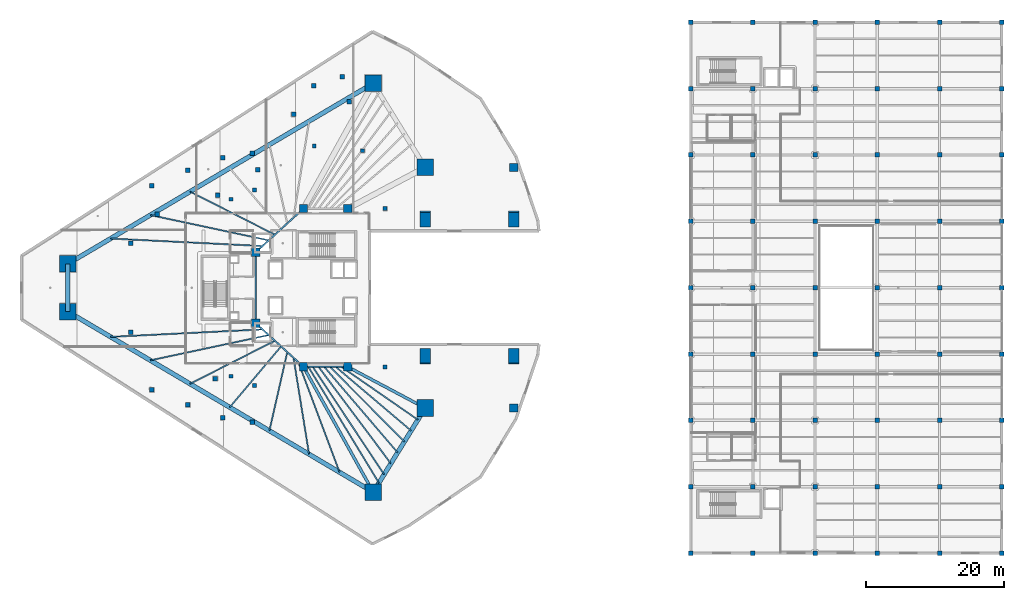
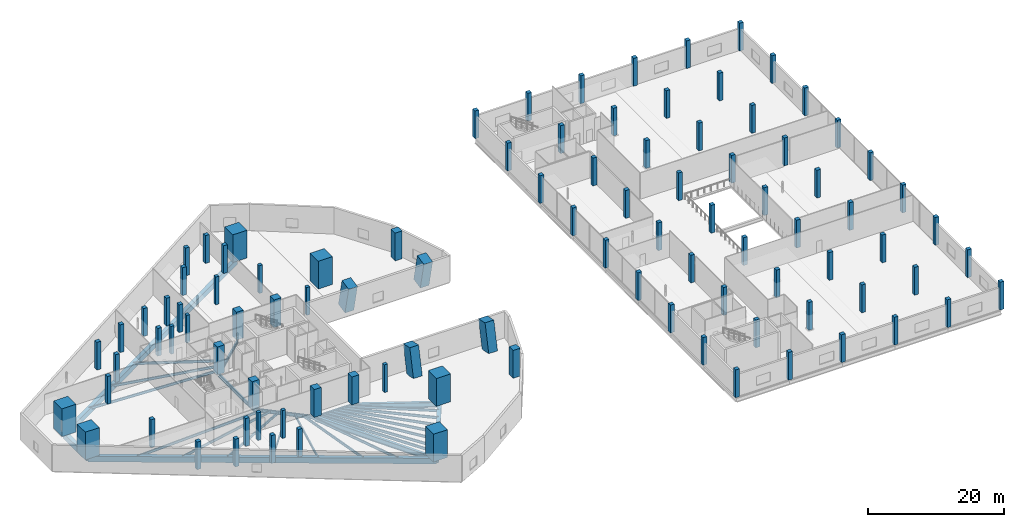
# One storey, part 1 of 46: 98 columns, 27 beams.
"""IFC4 building model written with IfcOpenShell, lengths in metres."""

import ifcopenshell
import ifcopenshell.guid

model = None  # the IFC model being written
_history = None  # IfcOwnerHistory: only IFC2X3 demands one
_inside = {}  # id of a spatial element -> (the spatial element, [elements in it])
_under = {}  # id of a project, library or spatial element -> (it, [spatial elements below it])
_declared = {}  # id of a project -> (the project, [libraries it declares])
_typed = {}  # id of a type object -> (the type object, [elements of that type])
_made_of = {}  # id of a material, layer set ... -> (it, [elements and type objects made of it])


def new_model(schema):
    """Start an empty IFC model of exactly this schema.

    Asked for "IFC4X3", IfcOpenShell would pick the latest addendum, in which some entities
    have other attributes; the version numbers below select the first issue.
    IFC2X3 requires an IfcOwnerHistory on every rooted entity: one is made here for all.
    """
    global model, _history
    if schema == "IFC4X3":
        model = ifcopenshell.file(schema_version=(4, 3, 0, 0))
    else:
        model = ifcopenshell.file(schema=schema)
    _inside.clear()
    _under.clear()
    _declared.clear()
    _typed.clear()
    _made_of.clear()
    _history = None
    if model.schema == "IFC2X3":
        org = make("IfcOrganization", Name="unknown")
        user = make(
            "IfcPersonAndOrganization",
            ThePerson=make("IfcPerson", FamilyName="unknown"),
            TheOrganization=org,
        )
        app = make(
            "IfcApplication",
            ApplicationDeveloper=org,
            Version="unknown",
            ApplicationFullName="unknown",
            ApplicationIdentifier="unknown",
        )
        _history = make(
            "IfcOwnerHistory",
            OwningUser=user,
            OwningApplication=app,
            ChangeAction="ADDED",
            CreationDate=0,
        )
    return model


def make(cls, **values):
    """One entity of the class cls with the attributes given. An attribute that is None is left unset."""
    return model.create_entity(
        cls, **{name: value for name, value in values.items() if value is not None}
    )


def rooted(cls, **values):
    """An entity with a GlobalId (a new one), such as an element, a storey or a relation."""
    return make(cls, GlobalId=ifcopenshell.guid.new(), OwnerHistory=_history, **values)


def si_unit(unit_type, name, prefix=None):
    """IfcSIUnit, for example si_unit("LENGTHUNIT", "METRE", prefix="MILLI")."""
    return make("IfcSIUnit", UnitType=unit_type, Prefix=prefix, Name=name)


def assignment(units):
    """IfcUnitAssignment: the units of a project."""
    return None if units is None else make("IfcUnitAssignment", Units=units)


def point(xyz):
    """IfcCartesianPoint."""
    return None if xyz is None else make("IfcCartesianPoint", Coordinates=xyz)


def direction(xyz):
    """IfcDirection."""
    return None if xyz is None else make("IfcDirection", DirectionRatios=xyz)


def frame(location, z_axis=None, x_axis=None):
    """IfcAxis2Placement3D, a coordinate frame: its origin and axes. An axis left out is left unset."""
    return make(
        "IfcAxis2Placement3D",
        Location=point(location),
        Axis=direction(z_axis),
        RefDirection=direction(x_axis),
    )


def frame_2d(location, x_axis=None):
    """IfcAxis2Placement2D, a coordinate frame in the plane: its origin and x axis."""
    return make(
        "IfcAxis2Placement2D", Location=point(location), RefDirection=direction(x_axis)
    )


def origin():
    """The frame at (0, 0, 0) with its axes left unset."""
    return frame((0.0, 0.0, 0.0))


def origin_2d():
    """The frame at (0, 0) in the plane with its x axis left unset."""
    return frame_2d((0.0, 0.0))


def place(relative_to, where):
    """IfcLocalPlacement: puts the frame where relative to a parent placement (None: the world)."""
    return make(
        "IfcLocalPlacement", PlacementRelTo=relative_to, RelativePlacement=where
    )


def context(
    kind, dimensions, precision=None, world=None, true_north=None, identifier=None
):
    """IfcGeometricRepresentationContext, for example the 3D "Model" context."""
    return make(
        "IfcGeometricRepresentationContext",
        ContextIdentifier=identifier,
        ContextType=kind,
        CoordinateSpaceDimension=dimensions,
        Precision=precision,
        WorldCoordinateSystem=world,
        TrueNorth=true_north,
    )


def subcontext(parent, identifier, kind, view, scale=None):
    """IfcGeometricRepresentationSubContext, for example "Body" below "Model"."""
    return make(
        "IfcGeometricRepresentationSubContext",
        ContextIdentifier=identifier,
        ContextType=kind,
        ParentContext=parent,
        TargetScale=scale,
        TargetView=view,
    )


def project(units=None, contexts=None):
    """IfcProject with its units and contexts."""
    return rooted(
        "IfcProject",
        Name="project",
        RepresentationContexts=contexts,
        UnitsInContext=assignment(units),
    )


def spatial(cls, under=None, at=None, **own):
    """A site, building, storey or space (cls), placed at a placement, below another one or the project."""
    s = rooted(cls, ObjectPlacement=at, **own)
    if under is not None:
        _under.setdefault(under.id(), (under, []))[1].append(s)
    return s


def profile(cls, at=None, kind="AREA", **sizes):
    """A parametric profile (cls). Its sizes go by their IFC names, for example OverallWidth=200.0."""
    return make(cls, ProfileType=kind, Position=at, **sizes)


def rectangle(**sizes):
    """IfcRectangleProfileDef."""
    return profile("IfcRectangleProfileDef", **sizes)


def i_section(**sizes):
    """IfcIShapeProfileDef."""
    return profile("IfcIShapeProfileDef", **sizes)


def extrude(swept, where, along, depth):
    """IfcExtrudedAreaSolid: the profile swept, set in the frame where, extruded along a direction by depth."""
    return make(
        "IfcExtrudedAreaSolid",
        SweptArea=swept,
        Position=where,
        ExtrudedDirection=direction(along),
        Depth=depth,
    )


def shape(context_of_items, identifier, shape_type, items):
    """IfcShapeRepresentation: the items that make up one representation, for example the "Body"."""
    return make(
        "IfcShapeRepresentation",
        ContextOfItems=context_of_items,
        RepresentationIdentifier=identifier,
        RepresentationType=shape_type,
        Items=items,
    )


def material(Name=None, Category=None):
    """IfcMaterial."""
    return make("IfcMaterial", Name=Name, Category=Category)


def material_profile(
    of_material, cross_section, Name=None, Category=None, Priority=None
):
    """IfcMaterialProfile: a cross section and its material."""
    return make(
        "IfcMaterialProfile",
        Name=Name,
        Material=of_material,
        Profile=cross_section,
        Priority=Priority,
        Category=Category,
    )


def profile_set(profiles, Name=None, composite=None):
    """IfcMaterialProfileSet."""
    return make(
        "IfcMaterialProfileSet",
        Name=Name,
        MaterialProfiles=profiles,
        CompositeProfile=composite,
    )


def made_of(thing, what):
    """Note that an element or type object is made of a material, layer set ...; save() writes the relation."""
    if what is not None:
        _made_of.setdefault(what.id(), (what, []))[1].append(thing)
    return thing


def type_object(cls, material=None, **own):
    """A type object (cls), such as IfcWallType, which elements share."""
    return made_of(rooted(cls, **own), material)


def element(
    cls,
    number,
    at=None,
    inside=None,
    cuts=None,
    type_object=None,
    material=None,
    context=None,
    identifier="Body",
    shape_type=None,
    held_by="IfcProductDefinitionShape",
    body=None,
    shapes=None,
    **own,
):
    """One element of the class cls, such as IfcWall. Its Tag is "e" and its number.

    at: its placement. inside: the storey or other place that contains it. cuts: it is an
    opening in that element (IfcRelVoidsElement). A single representation is given by context,
    identifier, shape_type and body (its items); several are given by shapes. held_by: the class
    of the entity that holds the representations. save() writes the other relations.
    """
    e = rooted(cls, Tag="e%d" % number, ObjectPlacement=at, **own)
    if body is not None:
        shapes = [shape(context, identifier, shape_type, body)]
    if shapes is not None:
        e.Representation = make(held_by, Representations=shapes)
    if inside is not None:
        _inside.setdefault(inside.id(), (inside, []))[1].append(e)
    if cuts is not None:
        rooted(
            "IfcRelVoidsElement", RelatingBuildingElement=cuts, RelatedOpeningElement=e
        )
    if type_object is not None:
        _typed.setdefault(type_object.id(), (type_object, []))[1].append(e)
    return made_of(e, material)


def aggregate(whole, parts):
    """IfcRelAggregates: a whole, such as a stair, and the parts it consists of."""
    return rooted("IfcRelAggregates", RelatingObject=whole, RelatedObjects=parts)


def save(model, path):
    """Write the relations noted so far, then the file.

    IfcRelAggregates (storeys below a building ...), IfcRelContainedInSpatialStructure (elements
    in a storey), IfcRelDefinesByType, IfcRelAssociatesMaterial and IfcRelDeclares: one each for
    every whole, place, type object, material and project.
    """
    for whole, parts in _under.values():
        aggregate(whole, parts)
    for where, things in _inside.values():
        rooted(
            "IfcRelContainedInSpatialStructure",
            RelatedElements=things,
            RelatingStructure=where,
        )
    for kind, things in _typed.values():
        rooted("IfcRelDefinesByType", RelatedObjects=things, RelatingType=kind)
    for what, things in _made_of.values():
        rooted("IfcRelAssociatesMaterial", RelatedObjects=things, RelatingMaterial=what)
    for by, libraries in _declared.values():
        rooted("IfcRelDeclares", RelatingContext=by, RelatedDefinitions=libraries)
    model.write(path)


model = new_model("IFC4")

# Units and contexts
model_context = context("Model", 3, precision=1e-05, world=origin(), true_north=direction((0.0, 1.0)))
body_context = subcontext(model_context, "Body", "Model", "MODEL_VIEW")
ifc_project = project(units=[si_unit("LENGTHUNIT", "METRE"), si_unit("AREAUNIT", "SQUARE_METRE"), si_unit("VOLUMEUNIT", "CUBIC_METRE"), si_unit("PLANEANGLEUNIT", "RADIAN"), si_unit("MASSUNIT", "GRAM", prefix="KILO")], contexts=[model_context])

# Site, building, storey
site_placement = place(None, origin())
site = spatial("IfcSite", under=ifc_project, at=site_placement, CompositionType="ELEMENT")
building_placement = place(site_placement, origin())
building = spatial("IfcBuilding", under=site, at=building_placement, Name="Qorvath Tower", CompositionType="ELEMENT")
storey_placement = place(building_placement, frame((0.0, 0.0, 17.0)))
storey = spatial("IfcBuildingStorey", under=building, at=storey_placement, Name="L03", CompositionType="ELEMENT", Elevation=17.0)

# Columns
ifc_material_1 = material(Name="Concrete C70/85", Category="concrete")
ifc_material_profile_1 = material_profile(ifc_material_1, rectangle(XDim=1.5, YDim=2.0, at=origin_2d()), Name="ARCH 2000x1500")
ifc_profile_set_1 = profile_set([ifc_material_profile_1], Name="Concrete C70/85")
column_type_1 = type_object("IfcColumnType", Name="COL-ARCH2", PredefinedType="PILASTER", material=ifc_profile_set_1)
for number, where, z_axis, x_axis, name in (
    (1, (6.800048828125, 10.088134765625, 0.0537109375), (0.0, -0.214871079623, 0.97664242133), (1.0, 0.0, 0.0), "Giant Concrete Arch Rib Chord ARCH-FRONT-N-L03"),
    (2, (6.800048828125, -10.088134765625, 0.0537109375), (0.0, 0.214871079623, 0.97664242133), (-1.0, 0.0, 0.0), "Giant Concrete Arch Rib Chord ARCH-FRONT-S-L03"),
    (3, (-6.0, 10.088134765625, 0.0537109375), (0.0, -0.214871079623, 0.97664242133), (1.0, 0.0, 0.0), "Giant Concrete Arch Rib Chord ARCH-INNER-N-L03"),
    (4, (-6.0, -10.088134765625, 0.0537109375), (0.0, 0.214871079623, 0.97664242133), (-1.0, 0.0, 0.0), "Giant Concrete Arch Rib Chord ARCH-INNER-S-L03"),
):
    element("IfcColumn", number, at=place(storey_placement, frame(where, z_axis=z_axis, x_axis=x_axis)), inside=storey, type_object=column_type_1, Name=name, PredefinedType="PILASTER", context=body_context, shape_type="SweptSolid", body=[
        extrude(rectangle(XDim=1.5, YDim=2.0, at=origin_2d()), origin(), (0.0, 0.0, 1.0), 5.009521484375),
    ])
ifc_material_2 = material(Name="Concrete C70/85", Category="concrete")
ifc_material_profile_2 = material_profile(ifc_material_2, rectangle(XDim=2.39990234375, YDim=2.39990234375, at=origin_2d()), Name="MC 2400x2400")
ifc_profile_set_2 = profile_set([ifc_material_profile_2], Name="Concrete C70/85")
column_type_2 = type_object("IfcColumnType", Name="COL-MC1", PredefinedType="COLUMN", material=ifc_profile_set_2)
for number, where, z_axis, x_axis, name in (
    (5, (-57.679931640625, 3.4560546875, 0.0), (0.0, 0.0, 1.0), (1.0, 0.0, 0.0), "Composite Mega-Column MC1 L03"),
    (6, (-57.679931640625, -3.4560546875, 0.0), (0.0, 0.0, 1.0), (1.0, 0.0, 0.0), "Composite Mega-Column MC2 L03"),
    (7, (-13.52001953125, -29.568115234375, 0.0), (0.0, 0.0, 1.0), (1.0, 0.0, 0.0), "Composite Mega-Column MC3 L03"),
    (8, (-6.0, -17.39990234375, 0.0), (0.0, 0.0, 1.0), (1.0, 0.0, 0.0), "Composite Mega-Column MC4 L03"),
    (9, (-6.0, 17.39990234375, 0.0), (0.0, 0.0, 1.0), (1.0, 0.0, 0.0), "Composite Mega-Column MC5 L03"),
    (10, (-13.52001953125, 29.568115234375, 0.0), (0.0, 0.0, 1.0), (1.0, 0.0, 0.0), "Composite Mega-Column MC6 L03"),
):
    element("IfcColumn", number, at=place(storey_placement, frame(where, z_axis=z_axis, x_axis=x_axis)), inside=storey, type_object=column_type_2, Name=name, PredefinedType="COLUMN", context=body_context, shape_type="SweptSolid", body=[
        extrude(rectangle(XDim=2.39990234375, YDim=2.39990234375, at=origin_2d()), origin(), (0.0, 0.0, 1.0), 5.0),
    ])
ifc_material_3 = material(Name="Concrete C60/75", Category="concrete")
ifc_material_profile_3 = material_profile(ifc_material_3, rectangle(XDim=1.199951171875, YDim=1.199951171875, at=origin_2d()), Name="RC 1200x1200")
ifc_profile_set_3 = profile_set([ifc_material_profile_3], Name="Concrete C60/75")
column_type_3 = type_object("IfcColumnType", Name="COL-RC1", PredefinedType="COLUMN", material=ifc_profile_set_3)
for number, where, z_axis, x_axis, name in (
    (11, (6.800048828125, 17.39990234375, 0.0), (0.0, 0.0, 1.0), (1.0, 0.0, 0.0), "Arch Portal Pier FRONT-N L03"),
    (12, (6.800048828125, -17.39990234375, 0.0), (0.0, 0.0, 1.0), (1.0, 0.0, 0.0), "Arch Portal Pier FRONT-S L03"),
    (13, (-23.60009765625, 11.449951171875, 0.0), (0.0, 0.0, 1.0), (1.0, 0.0, 0.0), "Core Spine Column CC1 L03"),
    (14, (-17.199951171875, 11.449951171875, 0.0), (0.0, 0.0, 1.0), (1.0, 0.0, 0.0), "Core Spine Column CC2 L03"),
    (15, (-17.199951171875, -11.449951171875, 0.0), (0.0, 0.0, 1.0), (1.0, 0.0, 0.0), "Core Spine Column CC3 L03"),
    (16, (-23.60009765625, -11.449951171875, 0.0), (0.0, 0.0, 1.0), (1.0, 0.0, 0.0), "Core Spine Column CC4 L03"),
    (17, (-30.5, 5.14990234375, 0.0), (0.0, 0.0, 1.0), (1.0, 0.0, 0.0), "Core Spine Column CC5 L03"),
    (18, (-30.5, -5.14990234375, 0.0), (0.0, 0.0, 1.0), (1.0, 0.0, 0.0), "Core Spine Column CC6 L03"),
):
    element("IfcColumn", number, at=place(storey_placement, frame(where, z_axis=z_axis, x_axis=x_axis)), inside=storey, type_object=column_type_3, Name=name, PredefinedType="COLUMN", context=body_context, shape_type="SweptSolid", body=[
        extrude(rectangle(XDim=1.199951171875, YDim=1.199951171875, at=origin_2d()), origin(), (0.0, 0.0, 1.0), 5.0),
    ])
ifc_material_4 = material(Name="Concrete C45/55", Category="concrete")
ifc_material_profile_4 = material_profile(ifc_material_4, rectangle(XDim=0.64990234375, YDim=0.64990234375, at=origin_2d()), Name="RC 650x650")
ifc_profile_set_4 = profile_set([ifc_material_profile_4], Name="Concrete C45/55")
column_type_4 = type_object("IfcColumnType", Name="COL-RC6", PredefinedType="COLUMN", material=ifc_profile_set_4)
for number, where, z_axis, x_axis, name in (
    (19, (-45.536376953125, 14.774658203125, 0.0), (0.0, 0.0, 1.0), (1.0, 0.0, 0.0), "Loggia Frame Pier Column LGA1 L03"),
    (20, (-45.536376953125, -14.774658203125, 0.0), (0.0, 0.0, 1.0), (1.0, 0.0, 0.0), "Loggia Frame Pier Column LGA2 L03"),
    (21, (-22.13134765625, 29.20556640625, 0.0), (0.0, 0.0, 1.0), (1.0, 0.0, 0.0), "Loggia Frame Pier Column LGA3 L03"),
    (22, (-40.33251953125, 16.955810546875, 0.0), (0.0, 0.0, 1.0), (1.0, 0.0, 0.0), "Loggia Frame Pier Column LGB1 L03"),
    (23, (-40.33251953125, -16.955810546875, 0.0), (0.0, 0.0, 1.0), (1.0, 0.0, 0.0), "Loggia Frame Pier Column LGB2 L03"),
    (24, (-18.0, 30.5, 0.0), (0.0, 0.0, 1.0), (1.0, 0.0, 0.0), "Loggia Frame Pier Column LGB3 L03"),
    (25, (-35.251708984375, 18.829345703125, 0.0), (0.0, 0.0, 1.0), (1.0, 0.0, 0.0), "Loggia Frame Pier Column LGC1 L03"),
    (26, (-35.251708984375, -18.829345703125, 0.0), (0.0, 0.0, 1.0), (1.0, 0.0, 0.0), "Loggia Frame Pier Column LGC2 L03"),
    (27, (-25.03759765625, 25.058837890625, 0.0), (0.0, 0.0, 1.0), (1.0, 0.0, 0.0), "Loggia Frame Pier Column LGC3 L03"),
    (28, (-31.01611328125, 19.46044921875, 0.0), (0.0, 0.0, 1.0), (1.0, 0.0, 0.0), "Loggia Frame Pier Column LGD1 L03"),
    (29, (-31.01611328125, -19.46044921875, 0.0), (0.0, 0.0, 1.0), (1.0, 0.0, 0.0), "Loggia Frame Pier Column LGD2 L03"),
    (30, (-44.736328125, 10.65234375, 0.0), (0.0, 0.0, 1.0), (1.0, 0.0, 0.0), "Loggia Frame Pier Column LGD3 L03"),
    (31, (-48.578369140625, 6.424560546875, 0.0), (0.0, 0.0, 1.0), (1.0, 0.0, 0.0), "Loggia Frame Pier Column LGE1 L03"),
    (32, (-48.578369140625, -6.424560546875, 0.0), (0.0, 0.0, 1.0), (1.0, 0.0, 0.0), "Loggia Frame Pier Column LGE2 L03"),
    (33, (-16.981201171875, 26.92919921875, 0.0), (0.0, 0.0, 1.0), (1.0, 0.0, 0.0), "Loggia Frame Pier Column LGE3 L03"),
    (34, (-35.980712890625, 13.380859375, 0.0), (0.0, 0.0, 1.0), (1.0, 0.0, 0.0), "Loggia Frame Pier Column LGF1 L03"),
    (35, (-36.36474609375, -13.135498046875, 0.0), (0.0, 0.0, 1.0), (1.0, 0.0, 0.0), "Loggia Frame Pier Column LGF2 L03"),
    (36, (-30.224853515625, 17.0595703125, 0.0), (0.0, 0.0, 1.0), (1.0, 0.0, 0.0), "Loggia Frame Pier Column LGF3 L03"),
    (37, (32.39990234375, -38.39990234375, 0.0), (0.0, 0.0, 1.0), (1.0, 0.0, 0.0), "Library Column 1-1 L03"),
    (38, (32.39990234375, -28.800048828125, 0.0), (0.0, 0.0, 1.0), (1.0, 0.0, 0.0), "Library Column 1-2 L03"),
    (39, (32.39990234375, -19.199951171875, 0.0), (0.0, 0.0, 1.0), (1.0, 0.0, 0.0), "Library Column 1-3 L03"),
    (40, (32.39990234375, -9.60009765625, 0.0), (0.0, 0.0, 1.0), (1.0, 0.0, 0.0), "Library Column 1-4 L03"),
    (41, (32.39990234375, 0.0, 0.0), (0.0, 0.0, 1.0), (1.0, 0.0, 0.0), "Library Column 1-5 L03"),
    (42, (32.39990234375, 9.60009765625, 0.0), (0.0, 0.0, 1.0), (1.0, 0.0, 0.0), "Library Column 1-6 L03"),
    (43, (32.39990234375, 19.199951171875, 0.0), (0.0, 0.0, 1.0), (1.0, 0.0, 0.0), "Library Column 1-7 L03"),
    (44, (32.39990234375, 28.800048828125, 0.0), (0.0, 0.0, 1.0), (1.0, 0.0, 0.0), "Library Column 1-8 L03"),
    (45, (32.39990234375, 38.39990234375, 0.0), (0.0, 0.0, 1.0), (1.0, 0.0, 0.0), "Library Column 1-9 L03"),
    (46, (41.39990234375, -38.39990234375, 0.0), (0.0, 0.0, 1.0), (1.0, 0.0, 0.0), "Library Column 2-1 L03"),
    (47, (41.39990234375, -28.800048828125, 0.0), (0.0, 0.0, 1.0), (1.0, 0.0, 0.0), "Library Column 2-2 L03"),
    (48, (41.39990234375, -19.199951171875, 0.0), (0.0, 0.0, 1.0), (1.0, 0.0, 0.0), "Library Column 2-3 L03"),
    (49, (41.39990234375, -9.60009765625, 0.0), (0.0, 0.0, 1.0), (1.0, 0.0, 0.0), "Library Column 2-4 L03"),
    (50, (41.39990234375, 0.0, 0.0), (0.0, 0.0, 1.0), (1.0, 0.0, 0.0), "Library Column 2-5 L03"),
    (51, (41.39990234375, 9.60009765625, 0.0), (0.0, 0.0, 1.0), (1.0, 0.0, 0.0), "Library Column 2-6 L03"),
    (52, (41.39990234375, 19.199951171875, 0.0), (0.0, 0.0, 1.0), (1.0, 0.0, 0.0), "Library Column 2-7 L03"),
    (53, (41.39990234375, 28.800048828125, 0.0), (0.0, 0.0, 1.0), (1.0, 0.0, 0.0), "Library Column 2-8 L03"),
    (54, (41.39990234375, 38.39990234375, 0.0), (0.0, 0.0, 1.0), (1.0, 0.0, 0.0), "Library Column 2-9 L03"),
    (55, (50.39990234375, -38.39990234375, 0.0), (0.0, 0.0, 1.0), (1.0, 0.0, 0.0), "Library Column 3-1 L03"),
    (56, (50.39990234375, -28.800048828125, 0.0), (0.0, 0.0, 1.0), (1.0, 0.0, 0.0), "Library Column 3-2 L03"),
    (57, (50.39990234375, -19.199951171875, 0.0), (0.0, 0.0, 1.0), (1.0, 0.0, 0.0), "Library Column 3-3 L03"),
    (58, (50.39990234375, -9.60009765625, 0.0), (0.0, 0.0, 1.0), (1.0, 0.0, 0.0), "Library Column 3-4 L03"),
    (59, (50.39990234375, 0.0, 0.0), (0.0, 0.0, 1.0), (1.0, 0.0, 0.0), "Library Column 3-5 L03"),
    (60, (50.39990234375, 9.60009765625, 0.0), (0.0, 0.0, 1.0), (1.0, 0.0, 0.0), "Library Column 3-6 L03"),
    (61, (50.39990234375, 19.199951171875, 0.0), (0.0, 0.0, 1.0), (1.0, 0.0, 0.0), "Library Column 3-7 L03"),
    (62, (50.39990234375, 28.800048828125, 0.0), (0.0, 0.0, 1.0), (1.0, 0.0, 0.0), "Library Column 3-8 L03"),
    (63, (50.39990234375, 38.39990234375, 0.0), (0.0, 0.0, 1.0), (1.0, 0.0, 0.0), "Library Column 3-9 L03"),
    (64, (59.39990234375, -38.39990234375, 0.0), (0.0, 0.0, 1.0), (1.0, 0.0, 0.0), "Library Column 4-1 L03"),
    (65, (59.39990234375, -28.800048828125, 0.0), (0.0, 0.0, 1.0), (1.0, 0.0, 0.0), "Library Column 4-2 L03"),
    (66, (59.39990234375, -19.199951171875, 0.0), (0.0, 0.0, 1.0), (1.0, 0.0, 0.0), "Library Column 4-3 L03"),
    (67, (59.39990234375, -9.60009765625, 0.0), (0.0, 0.0, 1.0), (1.0, 0.0, 0.0), "Library Column 4-4 L03"),
    (68, (59.39990234375, 0.0, 0.0), (0.0, 0.0, 1.0), (1.0, 0.0, 0.0), "Library Column 4-5 L03"),
    (69, (59.39990234375, 9.60009765625, 0.0), (0.0, 0.0, 1.0), (1.0, 0.0, 0.0), "Library Column 4-6 L03"),
    (70, (59.39990234375, 19.199951171875, 0.0), (0.0, 0.0, 1.0), (1.0, 0.0, 0.0), "Library Column 4-7 L03"),
    (71, (59.39990234375, 28.800048828125, 0.0), (0.0, 0.0, 1.0), (1.0, 0.0, 0.0), "Library Column 4-8 L03"),
    (72, (59.39990234375, 38.39990234375, 0.0), (0.0, 0.0, 1.0), (1.0, 0.0, 0.0), "Library Column 4-9 L03"),
    (73, (68.39990234375, -38.39990234375, 0.0), (0.0, 0.0, 1.0), (1.0, 0.0, 0.0), "Library Column 5-1 L03"),
    (74, (68.39990234375, -28.800048828125, 0.0), (0.0, 0.0, 1.0), (1.0, 0.0, 0.0), "Library Column 5-2 L03"),
    (75, (68.39990234375, -19.199951171875, 0.0), (0.0, 0.0, 1.0), (1.0, 0.0, 0.0), "Library Column 5-3 L03"),
    (76, (68.39990234375, -9.60009765625, 0.0), (0.0, 0.0, 1.0), (1.0, 0.0, 0.0), "Library Column 5-4 L03"),
    (77, (68.39990234375, 0.0, 0.0), (0.0, 0.0, 1.0), (1.0, 0.0, 0.0), "Library Column 5-5 L03"),
    (78, (68.39990234375, 9.60009765625, 0.0), (0.0, 0.0, 1.0), (1.0, 0.0, 0.0), "Library Column 5-6 L03"),
    (79, (68.39990234375, 19.199951171875, 0.0), (0.0, 0.0, 1.0), (1.0, 0.0, 0.0), "Library Column 5-7 L03"),
    (80, (68.39990234375, 28.800048828125, 0.0), (0.0, 0.0, 1.0), (1.0, 0.0, 0.0), "Library Column 5-8 L03"),
    (81, (68.39990234375, 38.39990234375, 0.0), (0.0, 0.0, 1.0), (1.0, 0.0, 0.0), "Library Column 5-9 L03"),
    (82, (77.39990234375, -38.39990234375, 0.0), (0.0, 0.0, 1.0), (1.0, 0.0, 0.0), "Library Column 6-1 L03"),
    (83, (77.39990234375, -28.800048828125, 0.0), (0.0, 0.0, 1.0), (1.0, 0.0, 0.0), "Library Column 6-2 L03"),
    (84, (77.39990234375, -19.199951171875, 0.0), (0.0, 0.0, 1.0), (1.0, 0.0, 0.0), "Library Column 6-3 L03"),
    (85, (77.39990234375, -9.60009765625, 0.0), (0.0, 0.0, 1.0), (1.0, 0.0, 0.0), "Library Column 6-4 L03"),
    (86, (77.39990234375, 0.0, 0.0), (0.0, 0.0, 1.0), (1.0, 0.0, 0.0), "Library Column 6-5 L03"),
    (87, (77.39990234375, 9.60009765625, 0.0), (0.0, 0.0, 1.0), (1.0, 0.0, 0.0), "Library Column 6-6 L03"),
    (88, (77.39990234375, 19.199951171875, 0.0), (0.0, 0.0, 1.0), (1.0, 0.0, 0.0), "Library Column 6-7 L03"),
    (89, (77.39990234375, 28.800048828125, 0.0), (0.0, 0.0, 1.0), (1.0, 0.0, 0.0), "Library Column 6-8 L03"),
    (90, (77.39990234375, 38.39990234375, 0.0), (0.0, 0.0, 1.0), (1.0, 0.0, 0.0), "Library Column 6-9 L03"),
):
    element("IfcColumn", number, at=place(storey_placement, frame(where, z_axis=z_axis, x_axis=x_axis)), inside=storey, type_object=column_type_4, Name=name, PredefinedType="COLUMN", context=body_context, shape_type="SweptSolid", body=[
        extrude(rectangle(XDim=0.64990234375, YDim=0.64990234375, at=origin_2d()), origin(), (0.0, 0.0, 1.0), 5.0),
    ])
ifc_material_5 = material(Name="Concrete C45/55", Category="concrete")
ifc_material_profile_5 = material_profile(ifc_material_5, rectangle(XDim=0.550048828125, YDim=0.550048828125, at=origin_2d()), Name="RC 550x550")
ifc_profile_set_5 = profile_set([ifc_material_profile_5], Name="Concrete C45/55")
column_type_5 = type_object("IfcColumnType", Name="COL-RC7", PredefinedType="COLUMN", material=ifc_profile_set_5)
for number, where, z_axis, x_axis, name in (
    (91, (-34.104248046875, 12.79248046875, 0.0), (0.0, 0.0, 1.0), (1.0, 0.0, 0.0), "Loggia Frame Pier Column LGG1 L03"),
    (92, (-34.104248046875, -12.79248046875, 0.0), (0.0, 0.0, 1.0), (1.0, 0.0, 0.0), "Loggia Frame Pier Column LGG2 L03"),
    (93, (-22.05322265625, 20.494873046875, 0.0), (0.0, 0.0, 1.0), (1.0, 0.0, 0.0), "Loggia Frame Pier Column LGG3 L03"),
    (94, (-30.67724609375, 14.124267578125, 0.0), (0.0, 0.0, 1.0), (1.0, 0.0, 0.0), "Loggia Frame Pier Column LGH1 L03"),
    (95, (-30.67724609375, -14.124267578125, 0.0), (0.0, 0.0, 1.0), (1.0, 0.0, 0.0), "Loggia Frame Pier Column LGH2 L03"),
    (96, (-15.046142578125, 19.818115234375, 0.0), (0.0, 0.0, 1.0), (1.0, 0.0, 0.0), "Loggia Frame Pier Column LGH3 L03"),
    (97, (-11.800048828125, -11.449951171875, 0.0), (0.0, 0.0, 1.0), (1.0, 0.0, 0.0), "Central Slot Jamb Column SC1 L03"),
    (98, (-11.800048828125, 11.449951171875, 0.0), (0.0, 0.0, 1.0), (1.0, 0.0, 0.0), "Central Slot Jamb Column SC2 L03"),
):
    element("IfcColumn", number, at=place(storey_placement, frame(where, z_axis=z_axis, x_axis=x_axis)), inside=storey, type_object=column_type_5, Name=name, PredefinedType="COLUMN", context=body_context, shape_type="SweptSolid", body=[
        extrude(rectangle(XDim=0.550048828125, YDim=0.550048828125, at=origin_2d()), origin(), (0.0, 0.0, 1.0), 5.0),
    ])

# Beams
ifc_material_6 = material(Name="Steel ASTM A992 Grade 50", Category="steel")
ifc_material_profile_6 = material_profile(ifc_material_6, i_section(OverallWidth=0.422119140625, OverallDepth=0.93310546875, WebThickness=0.021240234375, FlangeThickness=0.039794921875, FilletRadius=0.02392578125, at=origin_2d()), Name="W36x262")
ifc_profile_set_6 = profile_set([ifc_material_profile_6], Name="Steel ASTM A992 Grade 50")
beam_type_1 = type_object("IfcBeamType", Name="BM-FG1", PredefinedType="BEAM", material=ifc_profile_set_6)
beam_1_placement = place(storey_placement, frame((-17.199951171875, -11.449951171875, -0.7265625), z_axis=(0.883116467191, -0.469153818461, 0.0), x_axis=(0.469153818461, 0.883116467191, 0.0)))
element("IfcBeam", 99, at=beam_1_placement, inside=storey, type_object=beam_type_1, Name="Radial Floor Girder CC3-MC4 L03", PredefinedType="BEAM", context=body_context, shape_type="SweptSolid", body=[
    extrude(i_section(OverallWidth=0.422119140625, OverallDepth=0.93310546875, WebThickness=0.021240234375, FlangeThickness=0.039794921875, FilletRadius=0.02392578125, at=origin_2d()), origin(), (0.0, 0.0, 1.0), 12.682373046875),
])
beam_2_placement = place(storey_placement, frame((-23.60009765625, -11.449951171875, -0.7265625), z_axis=(0.486174725137, -0.873861623278, 0.0), x_axis=(0.873861623278, 0.486174725137, 0.0)))
element("IfcBeam", 100, at=beam_2_placement, inside=storey, type_object=beam_type_1, Name="Radial Floor Girder CC4-MC3 L03", PredefinedType="BEAM", context=body_context, shape_type="SweptSolid", body=[
    extrude(i_section(OverallWidth=0.422119140625, OverallDepth=0.93310546875, WebThickness=0.021240234375, FlangeThickness=0.039794921875, FilletRadius=0.02392578125, at=origin_2d()), origin(), (0.0, 0.0, 1.0), 20.7333984375),
])
ifc_material_7 = material(Name="Steel ASTM A992 Grade 50", Category="steel")
ifc_material_profile_7 = material_profile(ifc_material_7, i_section(OverallWidth=0.22998046875, OverallDepth=0.616943359375, WebThickness=0.01318359375, FlangeThickness=0.022216796875, FilletRadius=0.014892578125, at=origin_2d()), Name="W24x94")
ifc_profile_set_7 = profile_set([ifc_material_profile_7], Name="Steel ASTM A992 Grade 50")
beam_type_2 = type_object("IfcBeamType", Name="BM-FG6", PredefinedType="BEAM", material=ifc_profile_set_7)
beam_3_placement = place(storey_placement, frame((-17.199951171875, -11.449951171875, -0.568603515625), z_axis=(-1.0, 0.0, 0.0), x_axis=(0.0, -1.0, 0.0)))
element("IfcBeam", 101, at=beam_3_placement, inside=storey, type_object=beam_type_2, Name="Core Ring Girder CC3-CC4 L03", PredefinedType="BEAM", context=body_context, shape_type="SweptSolid", body=[
    extrude(i_section(OverallWidth=0.22998046875, OverallDepth=0.616943359375, WebThickness=0.01318359375, FlangeThickness=0.022216796875, FilletRadius=0.014892578125, at=origin_2d()), origin(), (0.0, 0.0, 1.0), 6.400146484375),
])
beam_4_placement = place(storey_placement, frame((-23.60009765625, -11.449951171875, -0.568603515625), z_axis=(-0.73847813985, 0.6742774184, 0.0), x_axis=(-0.6742774184, -0.73847813985, 0.0)))
element("IfcBeam", 102, at=beam_4_placement, inside=storey, type_object=beam_type_2, Name="Core Ring Girder CC4-CC6 L03", PredefinedType="BEAM", context=body_context, shape_type="SweptSolid", body=[
    extrude(i_section(OverallWidth=0.22998046875, OverallDepth=0.616943359375, WebThickness=0.01318359375, FlangeThickness=0.022216796875, FilletRadius=0.014892578125, at=origin_2d()), origin(), (0.0, 0.0, 1.0), 9.343505859375),
])
beam_5_placement = place(storey_placement, frame((-30.5, -5.14990234375, -0.568603515625), z_axis=(0.0, 1.0, 0.0), x_axis=(-1.0, 0.0, 0.0)))
element("IfcBeam", 103, at=beam_5_placement, inside=storey, type_object=beam_type_2, Name="Core Ring Girder CC6-CC5 L03", PredefinedType="BEAM", context=body_context, shape_type="SweptSolid", body=[
    extrude(i_section(OverallWidth=0.22998046875, OverallDepth=0.616943359375, WebThickness=0.01318359375, FlangeThickness=0.022216796875, FilletRadius=0.014892578125, at=origin_2d()), origin(), (0.0, 0.0, 1.0), 10.2998046875),
])
beam_6_placement = place(storey_placement, frame((-30.5, 5.14990234375, -0.568603515625), z_axis=(0.73847813985, 0.6742774184, 0.0), x_axis=(-0.6742774184, 0.73847813985, 0.0)))
element("IfcBeam", 104, at=beam_6_placement, inside=storey, type_object=beam_type_2, Name="Core Ring Girder CC5-CC1 L03", PredefinedType="BEAM", context=body_context, shape_type="SweptSolid", body=[
    extrude(i_section(OverallWidth=0.22998046875, OverallDepth=0.616943359375, WebThickness=0.01318359375, FlangeThickness=0.022216796875, FilletRadius=0.014892578125, at=origin_2d()), origin(), (0.0, 0.0, 1.0), 9.343505859375),
])
ifc_material_8 = material(Name="Steel ASTM A992 Grade 50", Category="steel")
ifc_material_profile_8 = material_profile(ifc_material_8, i_section(OverallWidth=0.18994140625, OverallDepth=0.45703125, WebThickness=0.009033203125, FlangeThickness=0.014404296875, FilletRadius=0.011962890625, at=origin_2d()), Name="W18x50")
ifc_profile_set_8 = profile_set([ifc_material_profile_8], Name="Steel ASTM A992 Grade 50")
beam_type_3 = type_object("IfcBeamType", Name="BM-FJ2", PredefinedType="JOIST", material=ifc_profile_set_8)
beam_7_placement = place(storey_placement, frame((-18.095947265625, -11.449951171875, -0.488525390625), z_axis=(0.821904266501, -0.569625646111, 0.0), x_axis=(0.569625646111, 0.821904266501, 0.0)))
element("IfcBeam", 105, at=beam_7_placement, inside=storey, type_object=beam_type_3, Name="Composite Floor Joist SE1 L03", PredefinedType="JOIST", context=body_context, shape_type="SweptSolid", body=[
    extrude(i_section(OverallWidth=0.18994140625, OverallDepth=0.45703125, WebThickness=0.009033203125, FlangeThickness=0.014404296875, FilletRadius=0.011962890625, at=origin_2d()), origin(), (0.0, 0.0, 1.0), 13.43603515625),
])
beam_8_placement = place(storey_placement, frame((-18.927978515625, -11.449951171875, -0.488525390625), z_axis=(0.762888170757, -0.646530462483, 0.0), x_axis=(0.646530462483, 0.762888170757, 0.0)))
element("IfcBeam", 106, at=beam_8_placement, inside=storey, type_object=beam_type_3, Name="Composite Floor Joist SE2 L03", PredefinedType="JOIST", context=body_context, shape_type="SweptSolid", body=[
    extrude(i_section(OverallWidth=0.18994140625, OverallDepth=0.45703125, WebThickness=0.009033203125, FlangeThickness=0.014404296875, FilletRadius=0.011962890625, at=origin_2d()), origin(), (0.0, 0.0, 1.0), 14.284423828125),
])
beam_9_placement = place(storey_placement, frame((-19.760009765625, -11.449951171875, -0.488525390625), z_axis=(0.704966562097, -0.709240541935, 0.0), x_axis=(0.709240541935, 0.704966562097, 0.0)))
element("IfcBeam", 107, at=beam_9_placement, inside=storey, type_object=beam_type_3, Name="Composite Floor Joist SE3 L03", PredefinedType="JOIST", context=body_context, shape_type="SweptSolid", body=[
    extrude(i_section(OverallWidth=0.18994140625, OverallDepth=0.45703125, WebThickness=0.009033203125, FlangeThickness=0.014404296875, FilletRadius=0.011962890625, at=origin_2d()), origin(), (0.0, 0.0, 1.0), 15.251708984375),
])
beam_10_placement = place(storey_placement, frame((-20.592041015625, -11.449951171875, -0.488525390625), z_axis=(0.650034471724, -0.759904721376, 0.0), x_axis=(0.759904721376, 0.650034471724, 0.0)))
element("IfcBeam", 108, at=beam_10_placement, inside=storey, type_object=beam_type_3, Name="Composite Floor Joist SE4 L03", PredefinedType="JOIST", context=body_context, shape_type="SweptSolid", body=[
    extrude(i_section(OverallWidth=0.18994140625, OverallDepth=0.45703125, WebThickness=0.009033203125, FlangeThickness=0.014404296875, FilletRadius=0.011962890625, at=origin_2d()), origin(), (0.0, 0.0, 1.0), 16.316650390625),
])
beam_11_placement = place(storey_placement, frame((-21.424072265625, -11.449951171875, -0.488525390625), z_axis=(0.599091356813, -0.800680676794, 0.0), x_axis=(0.800680676794, 0.599091356813, 0.0)))
element("IfcBeam", 109, at=beam_11_placement, inside=storey, type_object=beam_type_3, Name="Composite Floor Joist SE5 L03", PredefinedType="JOIST", context=body_context, shape_type="SweptSolid", body=[
    extrude(i_section(OverallWidth=0.18994140625, OverallDepth=0.45703125, WebThickness=0.009033203125, FlangeThickness=0.014404296875, FilletRadius=0.011962890625, at=origin_2d()), origin(), (0.0, 0.0, 1.0), 17.46142578125),
])
beam_12_placement = place(storey_placement, frame((-22.256103515625, -11.449951171875, -0.488525390625), z_axis=(0.552474288131, -0.833529940047, 0.0), x_axis=(0.833529940047, 0.552474288131, 0.0)))
element("IfcBeam", 110, at=beam_12_placement, inside=storey, type_object=beam_type_3, Name="Composite Floor Joist SE6 L03", PredefinedType="JOIST", context=body_context, shape_type="SweptSolid", body=[
    extrude(i_section(OverallWidth=0.18994140625, OverallDepth=0.45703125, WebThickness=0.009033203125, FlangeThickness=0.014404296875, FilletRadius=0.011962890625, at=origin_2d()), origin(), (0.0, 0.0, 1.0), 18.6708984375),
])
beam_13_placement = place(storey_placement, frame((-22.89599609375, -11.449951171875, -0.488525390625), z_axis=(0.519556443318, -0.854436131145, 0.0), x_axis=(0.854436131145, 0.519556443318, 0.0)))
element("IfcBeam", 111, at=beam_13_placement, inside=storey, type_object=beam_type_3, Name="Composite Floor Joist SE7 L03", PredefinedType="JOIST", context=body_context, shape_type="SweptSolid", body=[
    extrude(i_section(OverallWidth=0.18994140625, OverallDepth=0.45703125, WebThickness=0.009033203125, FlangeThickness=0.014404296875, FilletRadius=0.011962890625, at=origin_2d()), origin(), (0.0, 0.0, 1.0), 19.63818359375),
])
beam_14_placement = place(storey_placement, frame((-29.533935546875, 6.031982421875, -0.488525390625), z_axis=(-0.998794149334, 0.04909426907, 0.0), x_axis=(-0.04909426907, -0.998794149334, 0.0)))
element("IfcBeam", 112, at=beam_14_placement, inside=storey, type_object=beam_type_3, Name="Composite Floor Joist NW1 L03", PredefinedType="JOIST", context=body_context, shape_type="SweptSolid", body=[
    extrude(i_section(OverallWidth=0.18994140625, OverallDepth=0.45703125, WebThickness=0.009033203125, FlangeThickness=0.014404296875, FilletRadius=0.011962890625, at=origin_2d()), origin(), (0.0, 0.0, 1.0), 21.990234375),
])
beam_15_placement = place(storey_placement, frame((-28.636962890625, 6.85107421875, -0.488525390625), z_axis=(-0.977957459776, 0.208804230962, 0.0), x_axis=(-0.208804230962, -0.977957459776, 0.0)))
element("IfcBeam", 113, at=beam_15_placement, inside=storey, type_object=beam_type_3, Name="Composite Floor Joist NW2 L03", PredefinedType="JOIST", context=body_context, shape_type="SweptSolid", body=[
    extrude(i_section(OverallWidth=0.18994140625, OverallDepth=0.45703125, WebThickness=0.009033203125, FlangeThickness=0.014404296875, FilletRadius=0.011962890625, at=origin_2d()), origin(), (0.0, 0.0, 1.0), 17.505859375),
])
beam_16_placement = place(storey_placement, frame((-27.739990234375, 7.669921875, -0.488525390625), z_axis=(-0.891711806986, 0.452603638166, 0.0), x_axis=(-0.452603638166, -0.891711806986, 0.0)))
element("IfcBeam", 114, at=beam_16_placement, inside=storey, type_object=beam_type_3, Name="Composite Floor Joist NW3 L03", PredefinedType="JOIST", context=body_context, shape_type="SweptSolid", body=[
    extrude(i_section(OverallWidth=0.18994140625, OverallDepth=0.45703125, WebThickness=0.009033203125, FlangeThickness=0.014404296875, FilletRadius=0.011962890625, at=origin_2d()), origin(), (0.0, 0.0, 1.0), 13.766845703125),
])
beam_17_placement = place(storey_placement, frame((-29.533935546875, -6.031982421875, -0.488525390625), z_axis=(-0.998794149334, -0.04909426907, 0.0), x_axis=(0.04909426907, -0.998794149334, 0.0)))
element("IfcBeam", 115, at=beam_17_placement, inside=storey, type_object=beam_type_3, Name="Composite Floor Joist SW1 L03", PredefinedType="JOIST", context=body_context, shape_type="SweptSolid", body=[
    extrude(i_section(OverallWidth=0.18994140625, OverallDepth=0.45703125, WebThickness=0.009033203125, FlangeThickness=0.014404296875, FilletRadius=0.011962890625, at=origin_2d()), origin(), (0.0, 0.0, 1.0), 21.990234375),
])
beam_18_placement = place(storey_placement, frame((-28.636962890625, -6.85107421875, -0.488525390625), z_axis=(-0.977957459776, -0.208804230962, 0.0), x_axis=(0.208804230962, -0.977957459776, 0.0)))
element("IfcBeam", 116, at=beam_18_placement, inside=storey, type_object=beam_type_3, Name="Composite Floor Joist SW2 L03", PredefinedType="JOIST", context=body_context, shape_type="SweptSolid", body=[
    extrude(i_section(OverallWidth=0.18994140625, OverallDepth=0.45703125, WebThickness=0.009033203125, FlangeThickness=0.014404296875, FilletRadius=0.011962890625, at=origin_2d()), origin(), (0.0, 0.0, 1.0), 17.505859375),
])
beam_19_placement = place(storey_placement, frame((-27.739990234375, -7.669921875, -0.488525390625), z_axis=(-0.891711806986, -0.452603638166, 0.0), x_axis=(0.452603638166, -0.891711806986, 0.0)))
element("IfcBeam", 117, at=beam_19_placement, inside=storey, type_object=beam_type_3, Name="Composite Floor Joist SW3 L03", PredefinedType="JOIST", context=body_context, shape_type="SweptSolid", body=[
    extrude(i_section(OverallWidth=0.18994140625, OverallDepth=0.45703125, WebThickness=0.009033203125, FlangeThickness=0.014404296875, FilletRadius=0.011962890625, at=origin_2d()), origin(), (0.0, 0.0, 1.0), 13.766845703125),
])
beam_20_placement = place(storey_placement, frame((-26.843017578125, -8.489013671875, -0.488525390625), z_axis=(-0.644958726494, -0.764217404355, 0.0), x_axis=(0.764217404355, -0.644958726494, 0.0)))
element("IfcBeam", 118, at=beam_20_placement, inside=storey, type_object=beam_type_3, Name="Composite Floor Joist SW4 L03", PredefinedType="JOIST", context=body_context, shape_type="SweptSolid", body=[
    extrude(i_section(OverallWidth=0.18994140625, OverallDepth=0.45703125, WebThickness=0.009033203125, FlangeThickness=0.014404296875, FilletRadius=0.011962890625, at=origin_2d()), origin(), (0.0, 0.0, 1.0), 11.5234375),
])
beam_21_placement = place(storey_placement, frame((-25.946044921875, -9.30810546875, -0.488525390625), z_axis=(-0.221751282053, -0.975103260639, 0.0), x_axis=(0.975103260639, -0.221751282053, 0.0)))
element("IfcBeam", 119, at=beam_21_placement, inside=storey, type_object=beam_type_3, Name="Composite Floor Joist SW5 L03", PredefinedType="JOIST", context=body_context, shape_type="SweptSolid", body=[
    extrude(i_section(OverallWidth=0.18994140625, OverallDepth=0.45703125, WebThickness=0.009033203125, FlangeThickness=0.014404296875, FilletRadius=0.011962890625, at=origin_2d()), origin(), (0.0, 0.0, 1.0), 11.67236328125),
])
beam_22_placement = place(storey_placement, frame((-25.049072265625, -10.126953125, -0.488525390625), z_axis=(0.159519083064, -0.987194845073, 0.0), x_axis=(0.987194845073, 0.159519083064, 0.0)))
element("IfcBeam", 120, at=beam_22_placement, inside=storey, type_object=beam_type_3, Name="Composite Floor Joist SW6 L03", PredefinedType="JOIST", context=body_context, shape_type="SweptSolid", body=[
    extrude(i_section(OverallWidth=0.18994140625, OverallDepth=0.45703125, WebThickness=0.009033203125, FlangeThickness=0.014404296875, FilletRadius=0.011962890625, at=origin_2d()), origin(), (0.0, 0.0, 1.0), 14.138671875),
])
beam_23_placement = place(storey_placement, frame((-24.35888671875, -10.757080078125, -0.488525390625), z_axis=(0.351338742889, -0.936248411344, 0.0), x_axis=(0.936248411344, 0.351338742889, 0.0)))
element("IfcBeam", 121, at=beam_23_placement, inside=storey, type_object=beam_type_3, Name="Composite Floor Joist SW7 L03", PredefinedType="JOIST", context=body_context, shape_type="SweptSolid", body=[
    extrude(i_section(OverallWidth=0.18994140625, OverallDepth=0.45703125, WebThickness=0.009033203125, FlangeThickness=0.014404296875, FilletRadius=0.011962890625, at=origin_2d()), origin(), (0.0, 0.0, 1.0), 17.02392578125),
])
ifc_material_9 = material(Name="Concrete C50/60", Category="concrete")
ifc_material_profile_9 = material_profile(ifc_material_9, rectangle(XDim=0.64990234375, YDim=1.0, at=origin_2d()), Name="RCB 1000x650")
ifc_profile_set_9 = profile_set([ifc_material_profile_9], Name="Concrete C50/60")
beam_type_4 = type_object("IfcBeamType", Name="BM-RCB1", PredefinedType="SPANDREL", material=ifc_profile_set_9)
beam_24_placement = place(storey_placement, frame((-57.679931640625, 3.4560546875, -0.760009765625), z_axis=(0.0, -1.0, 0.0), x_axis=(1.0, 0.0, 0.0)))
element("IfcBeam", 122, at=beam_24_placement, inside=storey, type_object=beam_type_4, Name="Perimeter Loggia Frame Beam MC1-MC2 L03", PredefinedType="SPANDREL", context=body_context, shape_type="SweptSolid", body=[
    extrude(rectangle(XDim=0.64990234375, YDim=1.0, at=origin_2d()), origin(), (0.0, 0.0, 1.0), 6.912109375),
])
beam_25_placement = place(storey_placement, frame((-57.679931640625, -3.4560546875, -0.760009765625), z_axis=(0.860776517711, -0.50898309064, 0.0), x_axis=(0.50898309064, 0.860776517711, 0.0)))
element("IfcBeam", 123, at=beam_25_placement, inside=storey, type_object=beam_type_4, Name="Perimeter Loggia Frame Beam MC2-MC3 L03", PredefinedType="SPANDREL", context=body_context, shape_type="SweptSolid", body=[
    extrude(rectangle(XDim=0.64990234375, YDim=1.0, at=origin_2d()), origin(), (0.0, 0.0, 1.0), 51.302490234375),
])
beam_26_placement = place(storey_placement, frame((-13.52001953125, -29.568115234375, -0.760009765625), z_axis=(0.525713426157, 0.850661738624, 0.0), x_axis=(-0.850661738624, 0.525713426157, 0.0)))
element("IfcBeam", 124, at=beam_26_placement, inside=storey, type_object=beam_type_4, Name="Perimeter Loggia Frame Beam MC3-MC4 L03", PredefinedType="SPANDREL", context=body_context, shape_type="SweptSolid", body=[
    extrude(rectangle(XDim=0.64990234375, YDim=1.0, at=origin_2d()), origin(), (0.0, 0.0, 1.0), 14.304443359375),
])
beam_27_placement = place(storey_placement, frame((-13.52001953125, 29.568115234375, -0.760009765625), z_axis=(-0.860776517711, -0.50898309064, 0.0), x_axis=(0.50898309064, -0.860776517711, 0.0)))
element("IfcBeam", 125, at=beam_27_placement, inside=storey, type_object=beam_type_4, Name="Perimeter Loggia Frame Beam MC6-MC1 L03", PredefinedType="SPANDREL", context=body_context, shape_type="SweptSolid", body=[
    extrude(rectangle(XDim=0.64990234375, YDim=1.0, at=origin_2d()), origin(), (0.0, 0.0, 1.0), 51.302490234375),
])

save(model, "model.ifc")
